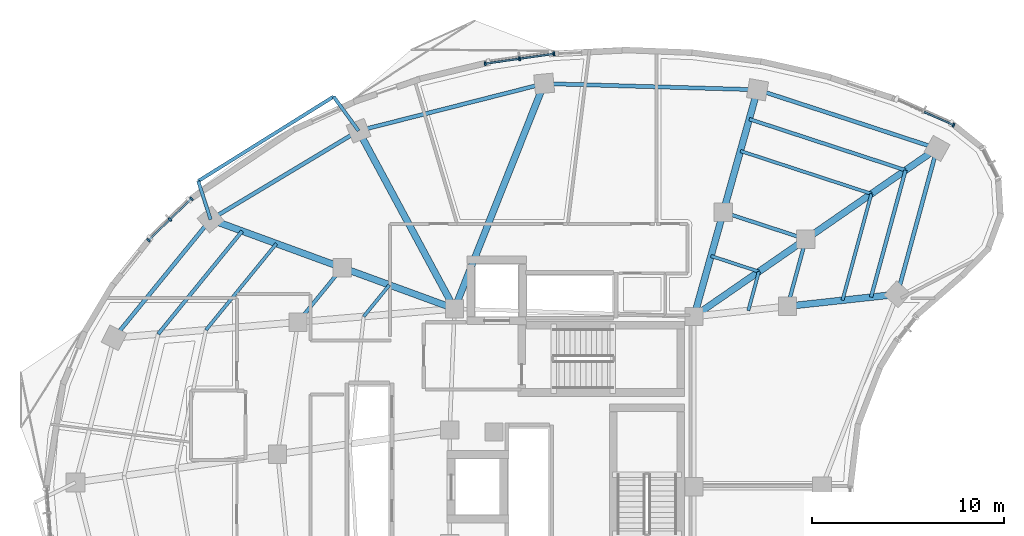
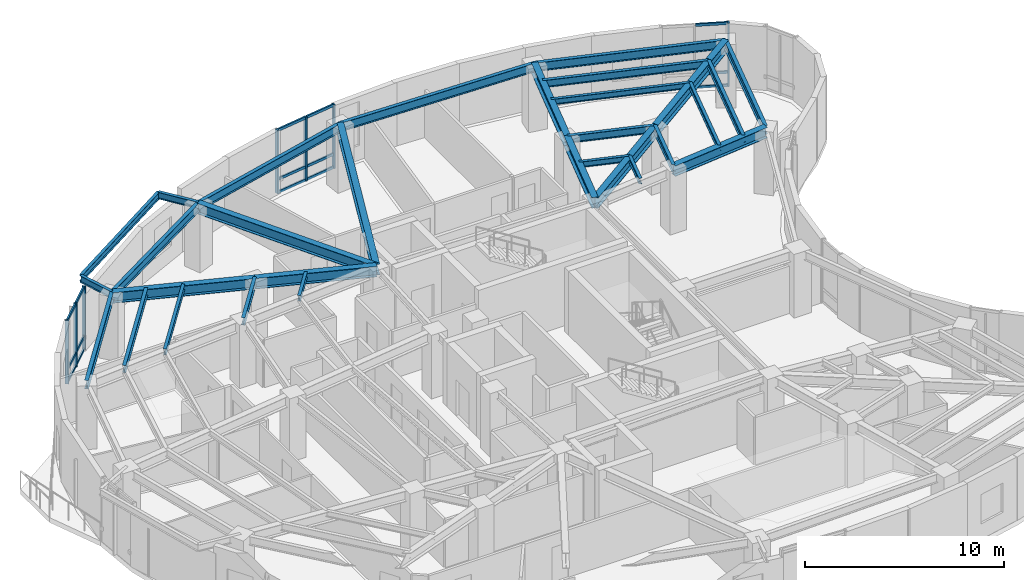
# One storey, part 5 of 15: 30 beams, 22 members, 3 elements without a shape of their own.
"""IFC4 building model written with IfcOpenShell, lengths in metres."""

from ifc_helpers import new_model, si_unit, direction, frame, origin, origin_2d, place, context, subcontext, project, spatial, rectangle, i_section, extrude, material, layer, layer_set, material_profile, profile_set, type_object, element, aggregate, save


model = new_model("IFC4")

# Units and contexts
model_context = context("Model", 3, precision=1e-05, world=origin(), true_north=direction((0.0, 1.0)))
body_context = subcontext(model_context, "Body", "Model", "MODEL_VIEW")
ifc_project = project(units=[si_unit("LENGTHUNIT", "METRE"), si_unit("AREAUNIT", "SQUARE_METRE"), si_unit("VOLUMEUNIT", "CUBIC_METRE"), si_unit("PLANEANGLEUNIT", "RADIAN"), si_unit("MASSUNIT", "GRAM", prefix="KILO")], contexts=[model_context])

# Site, building, storey
site_placement = place(None, origin())
site = spatial("IfcSite", under=ifc_project, at=site_placement, CompositionType="ELEMENT")
building_placement = place(site_placement, origin())
building = spatial("IfcBuilding", under=site, at=building_placement, Name="Korentha Bioscience Tower", CompositionType="ELEMENT")
storey_placement = place(building_placement, frame((0.0, 0.0, 222.60009765625)))
storey = spatial("IfcBuildingStorey", under=building, at=storey_placement, Name="L51", CompositionType="ELEMENT", Elevation=222.60009765625)

# Beams
ifc_material_1 = material(Name="Steel S355", Category="steel")
ifc_material_profile_1 = material_profile(ifc_material_1, i_section(OverallWidth=0.18994140625, OverallDepth=0.45703125, WebThickness=0.009033203125, FlangeThickness=0.014404296875, at=origin_2d()), Name="Steel S355")
ifc_profile_set_1 = profile_set([ifc_material_profile_1], Name="Steel S355 (MB-460)")
beam_type_1 = type_object("IfcBeamType", Name="Mid-Ring Tie Girder W460x74", PredefinedType="BEAM", material=ifc_profile_set_1)
beam_1_placement = place(storey_placement, frame((43.357666015625, 39.8662109375, 3.67138671875), z_axis=(-0.950447398506, 0.310885417274, 0.0), x_axis=(-0.310885417274, -0.950447398506, 0.0)))
element("IfcBeam", 1, at=beam_1_placement, inside=storey, type_object=beam_type_1, Name="L51 Mid-Ring Tie Girder 01", PredefinedType="BEAM", context=body_context, shape_type="SweptSolid", body=[
    extrude(i_section(OverallWidth=0.18994140625, OverallDepth=0.45703125, WebThickness=0.009033203125, FlangeThickness=0.014404296875, at=origin_2d()), origin(), (0.0, 0.0, 1.0), 4.5146484375),
])
beam_2_placement = place(storey_placement, frame((19.268310546875, 38.3837890625, 3.67138671875), z_axis=(-0.632275728894, -0.774743443116, 0.0), x_axis=(0.774743443116, -0.632275728894, 0.0)))
element("IfcBeam", 2, at=beam_2_placement, inside=storey, type_object=beam_type_1, Name="L51 Mid-Ring Tie Girder 05", PredefinedType="BEAM", context=body_context, shape_type="SweptSolid", body=[
    extrude(i_section(OverallWidth=0.18994140625, OverallDepth=0.45703125, WebThickness=0.009033203125, FlangeThickness=0.014404296875, at=origin_2d()), origin(), (0.0, 0.0, 1.0), 3.650146484375),
])
beam_3_placement = place(storey_placement, frame((42.41064453125, 36.379638671875, 3.67138671875), z_axis=(0.262122358011, 0.965034646752, 0.0), x_axis=(-0.965034646752, 0.262122358011, 0.0)))
element("IfcBeam", 3, at=beam_3_placement, inside=storey, type_object=beam_type_1, Name="L51 Mid-Ring Tie Girder 16", PredefinedType="BEAM", context=body_context, shape_type="SweptSolid", body=[
    extrude(i_section(OverallWidth=0.18994140625, OverallDepth=0.45703125, WebThickness=0.009033203125, FlangeThickness=0.014404296875, at=origin_2d()), origin(), (0.0, 0.0, 1.0), 3.61279296875),
])

# Curtain wall, member
ifc_material_2 = material(Name="Thermally Broken Aluminium Frame", Category="aluminium")
ifc_layer = layer(ifc_material_2, 0.219970703125, Name="Thermally Broken Aluminium Frame")
ifc_layer_set = layer_set([ifc_layer], Name="Thermally Broken Aluminium Frame (CW-T2)")
curtain_wall_type = type_object("IfcCurtainWallType", Name="Solar-Screened Lab Unitised Curtain Wall CW-T2", PredefinedType="USERDEFINED", material=ifc_layer_set)
curtain_wall_1_placement = place(storey_placement, origin())
curtain_wall_1 = element("IfcCurtainWall", 4, at=curtain_wall_1_placement, inside=storey, type_object=curtain_wall_type, Name="L51 Curtain Wall 01", ObjectType="UNITISED", PredefinedType="USERDEFINED")
ifc_material_3 = material(Name="Anodised Aluminium 6063-T6", Category="aluminium")
ifc_material_profile_2 = material_profile(ifc_material_3, rectangle(XDim=0.090087890625, YDim=0.199951171875, at=origin_2d()), Name="Anodised Aluminium 6063-T6")
ifc_profile_set_2 = profile_set([ifc_material_profile_2], Name="Anodised Aluminium 6063-T6 (CW-MUL)")
member_type_1 = type_object("IfcMemberType", Name="Mullion RECT 90x200", PredefinedType="MULLION", material=ifc_profile_set_2)
member_1_placement = place(storey_placement, frame((51.038818359375, 45.795166015625, 0.0), z_axis=(0.0, 0.0, 1.0), x_axis=(-0.913943941578, 0.405840450983, 0.0)))
member_1 = element("IfcMember", 5, at=member_1_placement, type_object=member_type_1, Name="CW-L51-01 Mullion 1", PredefinedType="MULLION", context=body_context, shape_type="SweptSolid", body=[
    extrude(rectangle(XDim=0.090087890625, YDim=0.199951171875, at=origin_2d()), origin(), (0.0, 0.0, 1.0), 3.89990234375),
])

# Curtain wall, members
curtain_wall_2_placement = place(storey_placement, origin())
curtain_wall_2 = element("IfcCurtainWall", 6, at=curtain_wall_2_placement, inside=storey, type_object=curtain_wall_type, Name="L51 Curtain Wall 07", ObjectType="UNITISED", PredefinedType="USERDEFINED")
member_2_placement = place(storey_placement, frame((30.267578125, 49.498779296875, 0.0), z_axis=(0.0, 0.0, 1.0), x_axis=(-0.989901889134, -0.141754188259, 0.0)))
member_2 = element("IfcMember", 7, at=member_2_placement, type_object=member_type_1, Name="CW-L51-07 Mullion 1", PredefinedType="MULLION", context=body_context, shape_type="SweptSolid", body=[
    extrude(rectangle(XDim=0.090087890625, YDim=0.199951171875, at=origin_2d()), origin(), (0.0, 0.0, 1.0), 3.89990234375),
])
member_3_placement = place(storey_placement, frame((28.47998046875, 49.242919921875, 0.0), z_axis=(0.0, 0.0, 1.0), x_axis=(-0.989901889134, -0.141754188259, 0.0)))
member_3 = element("IfcMember", 8, at=member_3_placement, type_object=member_type_1, Name="CW-L51-07 Mullion 2", PredefinedType="MULLION", context=body_context, shape_type="SweptSolid", body=[
    extrude(rectangle(XDim=0.090087890625, YDim=0.199951171875, at=origin_2d()), origin(), (0.0, 0.0, 1.0), 3.89990234375),
])
member_4_placement = place(storey_placement, frame((26.6923828125, 48.98681640625, 0.0), z_axis=(0.0, 0.0, 1.0), x_axis=(-0.989901889134, -0.141754188259, 0.0)))
member_4 = element("IfcMember", 9, at=member_4_placement, type_object=member_type_1, Name="CW-L51-07 Mullion 3", PredefinedType="MULLION", context=body_context, shape_type="SweptSolid", body=[
    extrude(rectangle(XDim=0.090087890625, YDim=0.199951171875, at=origin_2d()), origin(), (0.0, 0.0, 1.0), 3.89990234375),
])

curtain_wall_3_placement = place(storey_placement, origin())
curtain_wall_3 = element("IfcCurtainWall", 10, at=curtain_wall_3_placement, inside=storey, type_object=curtain_wall_type, Name="L51 Curtain Wall 13", ObjectType="UNITISED", PredefinedType="USERDEFINED")
member_5_placement = place(storey_placement, frame((11.43017578125, 41.968994140625, 0.0), z_axis=(0.0, 0.0, 1.0), x_axis=(-0.719000359175, -0.695009700297, 0.0)))
member_5 = element("IfcMember", 11, at=member_5_placement, type_object=member_type_1, Name="CW-L51-13 Mullion 1", PredefinedType="MULLION", context=body_context, shape_type="SweptSolid", body=[
    extrude(rectangle(XDim=0.090087890625, YDim=0.199951171875, at=origin_2d()), origin(), (0.0, 0.0, 1.0), 3.89990234375),
])
member_6_placement = place(storey_placement, frame((10.313232421875, 40.889404296875, 0.0), z_axis=(0.0, 0.0, 1.0), x_axis=(-0.719000359175, -0.695009700297, 0.0)))
member_6 = element("IfcMember", 12, at=member_6_placement, type_object=member_type_1, Name="CW-L51-13 Mullion 2", PredefinedType="MULLION", context=body_context, shape_type="SweptSolid", body=[
    extrude(rectangle(XDim=0.090087890625, YDim=0.199951171875, at=origin_2d()), origin(), (0.0, 0.0, 1.0), 3.89990234375),
])
member_7_placement = place(storey_placement, frame((9.1962890625, 39.809814453125, 0.0), z_axis=(0.0, 0.0, 1.0), x_axis=(-0.719000359175, -0.695009700297, 0.0)))
member_7 = element("IfcMember", 13, at=member_7_placement, type_object=member_type_1, Name="CW-L51-13 Mullion 3", PredefinedType="MULLION", context=body_context, shape_type="SweptSolid", body=[
    extrude(rectangle(XDim=0.090087890625, YDim=0.199951171875, at=origin_2d()), origin(), (0.0, 0.0, 1.0), 3.89990234375),
])

# Beams
ifc_material_profile_3 = material_profile(ifc_material_1, i_section(OverallWidth=0.208984375, OverallDepth=0.532958984375, WebThickness=0.01025390625, FlangeThickness=0.015625, at=origin_2d()), Name="Steel S355")
ifc_profile_set_3 = profile_set([ifc_material_profile_3], Name="Steel S355 (SB-530)")
beam_type_2 = type_object("IfcBeamType", Name="Perimeter Ring Spandrel Girder W530x92", PredefinedType="SPANDREL", material=ifc_profile_set_3)
beam_4_placement = place(storey_placement, frame((50.175537109375, 44.580810546875, 3.63330078125), z_axis=(-0.950449256032, 0.310879738338, 0.0), x_axis=(-0.310879738338, -0.950449256032, 0.0)))
element("IfcBeam", 14, at=beam_4_placement, inside=storey, type_object=beam_type_2, Name="L51 Perimeter Spandrel Girder 01", PredefinedType="SPANDREL", context=body_context, shape_type="SweptSolid", body=[
    extrude(i_section(OverallWidth=0.208984375, OverallDepth=0.532958984375, WebThickness=0.01025390625, FlangeThickness=0.015625, at=origin_2d()), origin(), (0.0, 0.0, 1.0), 9.81494140625),
])
beam_5_placement = place(storey_placement, frame((40.846923828125, 47.632080078125, 3.63330078125), z_axis=(-0.999586140554, 0.028767127286, 0.0), x_axis=(-0.028767127286, -0.999586140554, 0.0)))
element("IfcBeam", 15, at=beam_5_placement, inside=storey, type_object=beam_type_2, Name="L51 Perimeter Spandrel Girder 02", PredefinedType="SPANDREL", context=body_context, shape_type="SweptSolid", body=[
    extrude(i_section(OverallWidth=0.208984375, OverallDepth=0.532958984375, WebThickness=0.01025390625, FlangeThickness=0.015625, at=origin_2d()), origin(), (0.0, 0.0, 1.0), 11.09228515625),
])
beam_6_placement = place(storey_placement, frame((29.75927734375, 47.951171875, 3.63330078125), z_axis=(-0.969197317616, -0.246285524395, 0.0), x_axis=(0.246285524395, -0.969197317616, 0.0)))
element("IfcBeam", 16, at=beam_6_placement, inside=storey, type_object=beam_type_2, Name="L51 Perimeter Spandrel Girder 03", PredefinedType="SPANDREL", context=body_context, shape_type="SweptSolid", body=[
    extrude(i_section(OverallWidth=0.208984375, OverallDepth=0.532958984375, WebThickness=0.01025390625, FlangeThickness=0.015625, at=origin_2d()), origin(), (0.0, 0.0, 1.0), 9.95263671875),
])
beam_7_placement = place(storey_placement, frame((20.11328125, 45.5, 3.63330078125), z_axis=(-0.857644232791, -0.514243492872, 0.0), x_axis=(0.514243492872, -0.857644232791, 0.0)))
element("IfcBeam", 17, at=beam_7_placement, inside=storey, type_object=beam_type_2, Name="L51 Perimeter Spandrel Girder 04", PredefinedType="SPANDREL", context=body_context, shape_type="SweptSolid", body=[
    extrude(i_section(OverallWidth=0.208984375, OverallDepth=0.532958984375, WebThickness=0.01025390625, FlangeThickness=0.015625, at=origin_2d()), origin(), (0.0, 0.0, 1.0), 8.96728515625),
])
beam_8_placement = place(storey_placement, frame((12.422607421875, 40.888671875, 3.63330078125), z_axis=(-0.632315820697, -0.774710722074, 0.0), x_axis=(0.774710722074, -0.632315820697, 0.0)))
element("IfcBeam", 18, at=beam_8_placement, inside=storey, type_object=beam_type_2, Name="L51 Perimeter Spandrel Girder 05", PredefinedType="SPANDREL", context=body_context, shape_type="SweptSolid", body=[
    extrude(i_section(OverallWidth=0.208984375, OverallDepth=0.532958984375, WebThickness=0.01025390625, FlangeThickness=0.015625, at=origin_2d()), origin(), (0.0, 0.0, 1.0), 7.934814453125),
])
beam_9_placement = place(storey_placement, frame((48.116455078125, 37.001220703125, 3.63330078125), z_axis=(0.26215989838, 0.965024449266, 0.0), x_axis=(-0.965024449266, 0.26215989838, 0.0)))
element("IfcBeam", 19, at=beam_9_placement, inside=storey, type_object=beam_type_2, Name="L51 Perimeter Spandrel Girder 16", PredefinedType="SPANDREL", context=body_context, shape_type="SweptSolid", body=[
    extrude(i_section(OverallWidth=0.208984375, OverallDepth=0.532958984375, WebThickness=0.01025390625, FlangeThickness=0.015625, at=origin_2d()), origin(), (0.0, 0.0, 1.0), 7.854248046875),
])
ifc_material_profile_4 = material_profile(ifc_material_1, i_section(OverallWidth=0.18994140625, OverallDepth=0.45703125, WebThickness=0.009033203125, FlangeThickness=0.014404296875, at=origin_2d()), Name="Steel S355")
ifc_profile_set_4 = profile_set([ifc_material_profile_4], Name="Steel S355 (RB-460)")
beam_type_3 = type_object("IfcBeamType", Name="Radial Laboratory Beam W460x74", PredefinedType="BEAM", material=ifc_profile_set_4)
beam_10_placement = place(storey_placement, frame((48.539306640625, 43.44921875, 3.67138671875), z_axis=(-0.950451488918, 0.310872911674, 0.0), x_axis=(-0.310872911674, -0.950451488918, 0.0)))
element("IfcBeam", 20, at=beam_10_placement, inside=storey, type_object=beam_type_3, Name="L51 Secondary Floor Beam JSTO-01", PredefinedType="BEAM", context=body_context, shape_type="SweptSolid", body=[
    extrude(i_section(OverallWidth=0.18994140625, OverallDepth=0.45703125, WebThickness=0.009033203125, FlangeThickness=0.014404296875, at=origin_2d()), origin(), (0.0, 0.0, 1.0), 8.54296875),
])
beam_11_placement = place(storey_placement, frame((14.065673828125, 40.28759765625, 3.67138671875), z_axis=(-0.632321075077, -0.77470643344, 0.0), x_axis=(0.77470643344, -0.632321075077, 0.0)))
element("IfcBeam", 21, at=beam_11_placement, inside=storey, type_object=beam_type_3, Name="L51 Secondary Floor Beam JSTO-05", PredefinedType="BEAM", context=body_context, shape_type="SweptSolid", body=[
    extrude(i_section(OverallWidth=0.18994140625, OverallDepth=0.45703125, WebThickness=0.009033203125, FlangeThickness=0.014404296875, at=origin_2d()), origin(), (0.0, 0.0, 1.0), 6.906494140625),
])
beam_12_placement = place(storey_placement, frame((46.7470703125, 36.85205078125, 3.67138671875), z_axis=(0.262165402462, 0.965022954003, 0.0), x_axis=(-0.965022954003, 0.262165402462, 0.0)))
element("IfcBeam", 22, at=beam_12_placement, inside=storey, type_object=beam_type_3, Name="L51 Secondary Floor Beam JSTO-16", PredefinedType="BEAM", context=body_context, shape_type="SweptSolid", body=[
    extrude(i_section(OverallWidth=0.18994140625, OverallDepth=0.45703125, WebThickness=0.009033203125, FlangeThickness=0.014404296875, at=origin_2d()), origin(), (0.0, 0.0, 1.0), 6.836181640625),
])
ifc_material_profile_5 = material_profile(ifc_material_1, i_section(OverallWidth=0.35009765625, OverallDepth=0.64990234375, WebThickness=0.01611328125, FlangeThickness=0.02490234375, at=origin_2d()), Name="Steel S355")
ifc_profile_set_5 = profile_set([ifc_material_profile_5], Name="Steel S355 (RB-650)")
beam_type_4 = type_object("IfcBeamType", Name="Radial Laboratory Girder CVS 650x208", PredefinedType="BEAM", material=ifc_profile_set_5)
beam_13_placement = place(storey_placement, frame((37.550048828125, 35.85009765625, 3.574951171875), z_axis=(0.822493302413, 0.568774795052, 0.0), x_axis=(-0.568774795052, 0.822493302413, 0.0)))
element("IfcBeam", 23, at=beam_13_placement, inside=storey, type_object=beam_type_4, Name="L51 Inner Radial Girder 01", PredefinedType="BEAM", context=body_context, shape_type="SweptSolid", body=[
    extrude(i_section(OverallWidth=0.35009765625, OverallDepth=0.64990234375, WebThickness=0.01611328125, FlangeThickness=0.02490234375, at=origin_2d()), origin(), (0.0, 0.0, 1.0), 7.06103515625),
])
beam_14_placement = place(storey_placement, frame((43.357666015625, 39.8662109375, 3.574951171875), z_axis=(0.82250061903, 0.568764214499, 0.0), x_axis=(-0.568764214499, 0.82250061903, 0.0)))
element("IfcBeam", 24, at=beam_14_placement, inside=storey, type_object=beam_type_4, Name="L51 Outer Radial Girder 01", PredefinedType="BEAM", context=body_context, shape_type="SweptSolid", body=[
    extrude(i_section(OverallWidth=0.35009765625, OverallDepth=0.64990234375, WebThickness=0.01611328125, FlangeThickness=0.02490234375, at=origin_2d()), origin(), (0.0, 0.0, 1.0), 8.289306640625),
])
beam_15_placement = place(storey_placement, frame((37.550048828125, 35.85009765625, 3.574951171875), z_axis=(0.269480278508, 0.963005908339, 0.0), x_axis=(-0.963005908339, 0.269480278508, 0.0)))
element("IfcBeam", 25, at=beam_15_placement, inside=storey, type_object=beam_type_4, Name="L51 Inner Radial Girder 02", PredefinedType="BEAM", context=body_context, shape_type="SweptSolid", body=[
    extrude(i_section(OverallWidth=0.35009765625, OverallDepth=0.64990234375, WebThickness=0.01611328125, FlangeThickness=0.02490234375, at=origin_2d()), origin(), (0.0, 0.0, 1.0), 5.6279296875),
])
beam_16_placement = place(storey_placement, frame((39.066650390625, 41.269775390625, 3.574951171875), z_axis=(0.269465439817, 0.963010060562, 0.0), x_axis=(-0.963010060562, 0.269465439817, 0.0)))
element("IfcBeam", 26, at=beam_16_placement, inside=storey, type_object=beam_type_4, Name="L51 Outer Radial Girder 02", PredefinedType="BEAM", context=body_context, shape_type="SweptSolid", body=[
    extrude(i_section(OverallWidth=0.35009765625, OverallDepth=0.64990234375, WebThickness=0.01611328125, FlangeThickness=0.02490234375, at=origin_2d()), origin(), (0.0, 0.0, 1.0), 6.606689453125),
])
beam_17_placement = place(storey_placement, frame((25.10009765625, 36.25, 3.574951171875), z_axis=(0.369933042289, 0.929058418089, 0.0), x_axis=(-0.929058418089, 0.369933042289, 0.0)))
element("IfcBeam", 27, at=beam_17_placement, inside=storey, type_object=beam_type_4, Name="L51 Radial Girder 03", PredefinedType="BEAM", context=body_context, shape_type="SweptSolid", body=[
    extrude(i_section(OverallWidth=0.35009765625, OverallDepth=0.64990234375, WebThickness=0.01611328125, FlangeThickness=0.02490234375, at=origin_2d()), origin(), (0.0, 0.0, 1.0), 12.5947265625),
])
beam_18_placement = place(storey_placement, frame((25.10009765625, 36.25, 3.574951171875), z_axis=(-0.474545867703, 0.880230776243, 0.0), x_axis=(-0.880230776243, -0.474545867703, 0.0)))
element("IfcBeam", 28, at=beam_18_placement, inside=storey, type_object=beam_type_4, Name="L51 Radial Girder 04", PredefinedType="BEAM", context=body_context, shape_type="SweptSolid", body=[
    extrude(i_section(OverallWidth=0.35009765625, OverallDepth=0.64990234375, WebThickness=0.01611328125, FlangeThickness=0.02490234375, at=origin_2d()), origin(), (0.0, 0.0, 1.0), 10.508544921875),
])
beam_19_placement = place(storey_placement, frame((25.10009765625, 36.25, 3.574951171875), z_axis=(-0.939112022558, 0.343611130622, 0.0), x_axis=(-0.343611130622, -0.939112022558, 0.0)))
element("IfcBeam", 29, at=beam_19_placement, inside=storey, type_object=beam_type_4, Name="L51 Inner Radial Girder 05", PredefinedType="BEAM", context=body_context, shape_type="SweptSolid", body=[
    extrude(i_section(OverallWidth=0.35009765625, OverallDepth=0.64990234375, WebThickness=0.01611328125, FlangeThickness=0.02490234375, at=origin_2d()), origin(), (0.0, 0.0, 1.0), 6.2099609375),
])
beam_20_placement = place(storey_placement, frame((19.268310546875, 38.3837890625, 3.574951171875), z_axis=(-0.939107036581, 0.343624757322, 0.0), x_axis=(-0.343624757322, -0.939107036581, 0.0)))
element("IfcBeam", 30, at=beam_20_placement, inside=storey, type_object=beam_type_4, Name="L51 Outer Radial Girder 05", PredefinedType="BEAM", context=body_context, shape_type="SweptSolid", body=[
    extrude(i_section(OverallWidth=0.35009765625, OverallDepth=0.64990234375, WebThickness=0.01611328125, FlangeThickness=0.02490234375, at=origin_2d()), origin(), (0.0, 0.0, 1.0), 7.28955078125),
])
beam_21_placement = place(storey_placement, frame((42.41064453125, 36.379638671875, 3.574951171875), z_axis=(0.994118507308, 0.108297707398, 0.0), x_axis=(-0.108297707398, 0.994118507308, 0.0)))
element("IfcBeam", 31, at=beam_21_placement, inside=storey, type_object=beam_type_4, Name="L51 Outer Radial Girder 16", PredefinedType="BEAM", context=body_context, shape_type="SweptSolid", body=[
    extrude(i_section(OverallWidth=0.35009765625, OverallDepth=0.64990234375, WebThickness=0.01611328125, FlangeThickness=0.02490234375, at=origin_2d()), origin(), (0.0, 0.0, 1.0), 5.739501953125),
])
ifc_material_profile_6 = material_profile(ifc_material_1, i_section(OverallWidth=0.1708984375, OverallDepth=0.35498046875, WebThickness=0.007080078125, FlangeThickness=0.01171875, at=origin_2d()), Name="Steel S355")
ifc_profile_set_6 = profile_set([ifc_material_profile_6], Name="Steel S355 (JB-360)")
beam_type_5 = type_object("IfcBeamType", Name="Secondary Laboratory Joist W360x51", PredefinedType="JOIST", material=ifc_profile_set_6)
beam_22_placement = place(storey_placement, frame((46.7666015625, 42.223388671875, 3.722412109375), z_axis=(-0.950443636542, 0.310896918216, 0.0), x_axis=(-0.310896918216, -0.950443636542, 0.0)))
element("IfcBeam", 32, at=beam_22_placement, inside=storey, type_object=beam_type_5, Name="L51 Secondary Floor Beam JST-01", PredefinedType="JOIST", context=body_context, shape_type="SweptSolid", body=[
    extrude(i_section(OverallWidth=0.1708984375, OverallDepth=0.35498046875, WebThickness=0.007080078125, FlangeThickness=0.01171875, at=origin_2d()), origin(), (0.0, 0.0, 1.0), 7.164794921875),
])
beam_23_placement = place(storey_placement, frame((40.91845703125, 38.179443359375, 3.722412109375), z_axis=(-0.950458247894, 0.31085224627, 0.0), x_axis=(-0.31085224627, -0.950458247894, 0.0)))
element("IfcBeam", 33, at=beam_23_placement, inside=storey, type_object=beam_type_5, Name="L51 Inner Bay Joist 01", PredefinedType="JOIST", context=body_context, shape_type="SweptSolid", body=[
    extrude(i_section(OverallWidth=0.1708984375, OverallDepth=0.35498046875, WebThickness=0.007080078125, FlangeThickness=0.01171875, at=origin_2d()), origin(), (0.0, 0.0, 1.0), 2.618408203125),
])
beam_24_placement = place(storey_placement, frame((15.845458984375, 39.63623046875, 3.722412109375), z_axis=(-0.632303189088, -0.774721031771, 0.0), x_axis=(0.774721031771, -0.632303189088, 0.0)))
element("IfcBeam", 34, at=beam_24_placement, inside=storey, type_object=beam_type_5, Name="L51 Secondary Floor Beam JST-05", PredefinedType="JOIST", context=body_context, shape_type="SweptSolid", body=[
    extrude(i_section(OverallWidth=0.1708984375, OverallDepth=0.35498046875, WebThickness=0.007080078125, FlangeThickness=0.01171875, at=origin_2d()), origin(), (0.0, 0.0, 1.0), 5.79248046875),
])
beam_25_placement = place(storey_placement, frame((21.7177734375, 37.487548828125, 3.722412109375), z_axis=(-0.632370841021, -0.774665811448, 0.0), x_axis=(0.774665811448, -0.632370841021, 0.0)))
element("IfcBeam", 35, at=beam_25_placement, inside=storey, type_object=beam_type_5, Name="L51 Inner Bay Joist 05", PredefinedType="JOIST", context=body_context, shape_type="SweptSolid", body=[
    extrude(i_section(OverallWidth=0.1708984375, OverallDepth=0.35498046875, WebThickness=0.007080078125, FlangeThickness=0.01171875, at=origin_2d()), origin(), (0.0, 0.0, 1.0), 2.1171875),
])
beam_26_placement = place(storey_placement, frame((45.263671875, 36.6904296875, 3.722412109375), z_axis=(0.262133629198, 0.965031585205, 0.0), x_axis=(-0.965031585205, 0.262133629198, 0.0)))
element("IfcBeam", 36, at=beam_26_placement, inside=storey, type_object=beam_type_5, Name="L51 Secondary Floor Beam JST-16", PredefinedType="JOIST", context=body_context, shape_type="SweptSolid", body=[
    extrude(i_section(OverallWidth=0.1708984375, OverallDepth=0.35498046875, WebThickness=0.007080078125, FlangeThickness=0.01171875, at=origin_2d()), origin(), (0.0, 0.0, 1.0), 5.7333984375),
])
beam_27_placement = place(storey_placement, frame((40.369140625, 36.1572265625, 3.722412109375), z_axis=(0.262141298938, 0.965029501824, 0.0), x_axis=(-0.965029501824, 0.262141298938, 0.0)))
element("IfcBeam", 37, at=beam_27_placement, inside=storey, type_object=beam_type_5, Name="L51 Inner Bay Joist 16", PredefinedType="JOIST", context=body_context, shape_type="SweptSolid", body=[
    extrude(i_section(OverallWidth=0.1708984375, OverallDepth=0.35498046875, WebThickness=0.007080078125, FlangeThickness=0.01171875, at=origin_2d()), origin(), (0.0, 0.0, 1.0), 2.095458984375),
])
ifc_material_profile_7 = material_profile(ifc_material_1, i_section(OverallWidth=0.177978515625, OverallDepth=0.406982421875, WebThickness=0.0078125, FlangeThickness=0.0126953125, at=origin_2d()), Name="Steel S355")
ifc_profile_set_7 = profile_set([ifc_material_profile_7], Name="Steel S355 (CB-410)")
beam_type_6 = type_object("IfcBeamType", Name="Sun-Ledge Cantilever Beam W410x60", PredefinedType="BEAM", material=ifc_profile_set_7)
beam_28_placement = place(storey_placement, frame((20.11328125, 45.5, 3.698486328125), z_axis=(-0.590308883933, 0.80717744118, 0.0), x_axis=(-0.80717744118, -0.590308883933, 0.0)))
element("IfcBeam", 38, at=beam_28_placement, inside=storey, type_object=beam_type_6, Name="L51 Balcony Cantilever Bracket A-L52-01", PredefinedType="BEAM", context=body_context, shape_type="SweptSolid", body=[
    extrude(i_section(OverallWidth=0.177978515625, OverallDepth=0.406982421875, WebThickness=0.0078125, FlangeThickness=0.0126953125, at=origin_2d()), origin(), (0.0, 0.0, 1.0), 2.198486328125),
])
beam_29_placement = place(storey_placement, frame((12.422607421875, 40.888671875, 3.698486328125), z_axis=(-0.30633304213, 0.951924402093, 0.0), x_axis=(-0.951924402093, -0.30633304213, 0.0)))
element("IfcBeam", 39, at=beam_29_placement, inside=storey, type_object=beam_type_6, Name="L51 Balcony Cantilever Bracket B-L52-01", PredefinedType="BEAM", context=body_context, shape_type="SweptSolid", body=[
    extrude(i_section(OverallWidth=0.177978515625, OverallDepth=0.406982421875, WebThickness=0.0078125, FlangeThickness=0.0126953125, at=origin_2d()), origin(), (0.0, 0.0, 1.0), 2.098388671875),
])
beam_30_placement = place(storey_placement, frame((18.8154296875, 47.274658203125, 3.698486328125), z_axis=(-0.848477639947, -0.529231229719, 0.0), x_axis=(0.529231229719, -0.848477639947, 0.0)))
element("IfcBeam", 40, at=beam_30_placement, inside=storey, type_object=beam_type_6, Name="L51 Balcony Edge Trimmer Beam L52-01", PredefinedType="BEAM", context=body_context, shape_type="SweptSolid", body=[
    extrude(i_section(OverallWidth=0.177978515625, OverallDepth=0.406982421875, WebThickness=0.0078125, FlangeThickness=0.0126953125, at=origin_2d()), origin(), (0.0, 0.0, 1.0), 8.2919921875),
])

# Member
ifc_material_profile_8 = material_profile(ifc_material_3, rectangle(XDim=0.090087890625, YDim=0.159912109375, at=origin_2d()), Name="Anodised Aluminium 6063-T6")
ifc_profile_set_8 = profile_set([ifc_material_profile_8], Name="Anodised Aluminium 6063-T6 (CW-TRN)")
member_type_2 = type_object("IfcMemberType", Name="Transom RECT 90x160", PredefinedType="USERDEFINED", material=ifc_profile_set_8)
member_8_placement = place(storey_placement, frame((50.99755859375, 45.813232421875, 0.044921875), z_axis=(-0.913935479932, 0.405859505891, 0.0), x_axis=(-0.405859505891, -0.913935479932, 0.0)))
member_8 = element("IfcMember", 41, at=member_8_placement, type_object=member_type_2, Name="CW-L51-01 Bay 1 Transom 1", ObjectType="TRANSOM", PredefinedType="USERDEFINED", context=body_context, shape_type="SweptSolid", body=[
    extrude(rectangle(XDim=0.090087890625, YDim=0.159912109375, at=origin_2d()), origin(), (0.0, 0.0, 1.0), 1.624267578125),
])

member_9_placement = place(storey_placement, frame((50.99755859375, 45.813232421875, 0.849853515625), z_axis=(-0.913935479932, 0.405859505891, 0.0), x_axis=(-0.405859505891, -0.913935479932, 0.0)))
member_9 = element("IfcMember", 42, at=member_9_placement, type_object=member_type_2, Name="CW-L51-01 Bay 1 Transom 2", ObjectType="TRANSOM", PredefinedType="USERDEFINED", context=body_context, shape_type="SweptSolid", body=[
    extrude(rectangle(XDim=0.090087890625, YDim=0.159912109375, at=origin_2d()), origin(), (0.0, 0.0, 1.0), 1.624267578125),
])

member_10_placement = place(storey_placement, frame((50.99755859375, 45.813232421875, 3.85498046875), z_axis=(-0.913935479932, 0.405859505891, 0.0), x_axis=(-0.405859505891, -0.913935479932, 0.0)))
member_10 = element("IfcMember", 43, at=member_10_placement, type_object=member_type_2, Name="CW-L51-01 Bay 1 Transom 3", ObjectType="TRANSOM", PredefinedType="USERDEFINED", context=body_context, shape_type="SweptSolid", body=[
    extrude(rectangle(XDim=0.090087890625, YDim=0.159912109375, at=origin_2d()), origin(), (0.0, 0.0, 1.0), 1.624267578125),
])

aggregate(curtain_wall_1, [member_1, member_8, member_9, member_10])

member_11_placement = place(storey_placement, frame((30.222900390625, 49.492431640625, 0.044921875), z_axis=(-0.989906761771, -0.141720157356, 0.0), x_axis=(0.141720157356, -0.989906761771, 0.0)))
member_11 = element("IfcMember", 44, at=member_11_placement, type_object=member_type_2, Name="CW-L51-07 Bay 1 Transom 1", ObjectType="TRANSOM", PredefinedType="USERDEFINED", context=body_context, shape_type="SweptSolid", body=[
    extrude(rectangle(XDim=0.090087890625, YDim=0.159912109375, at=origin_2d()), origin(), (0.0, 0.0, 1.0), 1.7158203125),
])

member_12_placement = place(storey_placement, frame((30.222900390625, 49.492431640625, 0.849853515625), z_axis=(-0.989906761771, -0.141720157356, 0.0), x_axis=(0.141720157356, -0.989906761771, 0.0)))
member_12 = element("IfcMember", 45, at=member_12_placement, type_object=member_type_2, Name="CW-L51-07 Bay 1 Transom 2", ObjectType="TRANSOM", PredefinedType="USERDEFINED", context=body_context, shape_type="SweptSolid", body=[
    extrude(rectangle(XDim=0.090087890625, YDim=0.159912109375, at=origin_2d()), origin(), (0.0, 0.0, 1.0), 1.7158203125),
])

member_13_placement = place(storey_placement, frame((30.222900390625, 49.492431640625, 3.85498046875), z_axis=(-0.989906761771, -0.141720157356, 0.0), x_axis=(0.141720157356, -0.989906761771, 0.0)))
member_13 = element("IfcMember", 46, at=member_13_placement, type_object=member_type_2, Name="CW-L51-07 Bay 1 Transom 3", ObjectType="TRANSOM", PredefinedType="USERDEFINED", context=body_context, shape_type="SweptSolid", body=[
    extrude(rectangle(XDim=0.090087890625, YDim=0.159912109375, at=origin_2d()), origin(), (0.0, 0.0, 1.0), 1.7158203125),
])

member_14_placement = place(storey_placement, frame((28.435302734375, 49.236572265625, 0.044921875), z_axis=(-0.989903903342, -0.14174012187, 0.0), x_axis=(0.14174012187, -0.989903903342, 0.0)))
member_14 = element("IfcMember", 47, at=member_14_placement, type_object=member_type_2, Name="CW-L51-07 Bay 2 Transom 1", ObjectType="TRANSOM", PredefinedType="USERDEFINED", context=body_context, shape_type="SweptSolid", body=[
    extrude(rectangle(XDim=0.090087890625, YDim=0.159912109375, at=origin_2d()), origin(), (0.0, 0.0, 1.0), 1.715576171875),
])

member_15_placement = place(storey_placement, frame((28.435302734375, 49.236572265625, 0.849853515625), z_axis=(-0.989903903342, -0.14174012187, 0.0), x_axis=(0.14174012187, -0.989903903342, 0.0)))
member_15 = element("IfcMember", 48, at=member_15_placement, type_object=member_type_2, Name="CW-L51-07 Bay 2 Transom 2", ObjectType="TRANSOM", PredefinedType="USERDEFINED", context=body_context, shape_type="SweptSolid", body=[
    extrude(rectangle(XDim=0.090087890625, YDim=0.159912109375, at=origin_2d()), origin(), (0.0, 0.0, 1.0), 1.715576171875),
])

member_16_placement = place(storey_placement, frame((28.435302734375, 49.236572265625, 3.85498046875), z_axis=(-0.989903903342, -0.14174012187, 0.0), x_axis=(0.14174012187, -0.989903903342, 0.0)))
member_16 = element("IfcMember", 49, at=member_16_placement, type_object=member_type_2, Name="CW-L51-07 Bay 2 Transom 3", ObjectType="TRANSOM", PredefinedType="USERDEFINED", context=body_context, shape_type="SweptSolid", body=[
    extrude(rectangle(XDim=0.090087890625, YDim=0.159912109375, at=origin_2d()), origin(), (0.0, 0.0, 1.0), 1.715576171875),
])

aggregate(curtain_wall_2, [member_2, member_3, member_4, member_11, member_12, member_13, member_14, member_15, member_16])

member_17_placement = place(storey_placement, frame((11.397705078125, 41.937744140625, 0.044921875), z_axis=(-0.719016163687, -0.694993349865, 0.0), x_axis=(0.694993349865, -0.719016163687, 0.0)))
member_17 = element("IfcMember", 50, at=member_17_placement, type_object=member_type_2, Name="CW-L51-13 Bay 1 Transom 1", ObjectType="TRANSOM", PredefinedType="USERDEFINED", context=body_context, shape_type="SweptSolid", body=[
    extrude(rectangle(XDim=0.090087890625, YDim=0.159912109375, at=origin_2d()), origin(), (0.0, 0.0, 1.0), 1.46337890625),
])

member_18_placement = place(storey_placement, frame((11.397705078125, 41.937744140625, 0.849853515625), z_axis=(-0.719016163687, -0.694993349865, 0.0), x_axis=(0.694993349865, -0.719016163687, 0.0)))
member_18 = element("IfcMember", 51, at=member_18_placement, type_object=member_type_2, Name="CW-L51-13 Bay 1 Transom 2", ObjectType="TRANSOM", PredefinedType="USERDEFINED", context=body_context, shape_type="SweptSolid", body=[
    extrude(rectangle(XDim=0.090087890625, YDim=0.159912109375, at=origin_2d()), origin(), (0.0, 0.0, 1.0), 1.46337890625),
])

member_19_placement = place(storey_placement, frame((11.397705078125, 41.937744140625, 3.85498046875), z_axis=(-0.719016163687, -0.694993349865, 0.0), x_axis=(0.694993349865, -0.719016163687, 0.0)))
member_19 = element("IfcMember", 52, at=member_19_placement, type_object=member_type_2, Name="CW-L51-13 Bay 1 Transom 3", ObjectType="TRANSOM", PredefinedType="USERDEFINED", context=body_context, shape_type="SweptSolid", body=[
    extrude(rectangle(XDim=0.090087890625, YDim=0.159912109375, at=origin_2d()), origin(), (0.0, 0.0, 1.0), 1.46337890625),
])

member_20_placement = place(storey_placement, frame((10.28076171875, 40.858154296875, 0.044921875), z_axis=(-0.719016163687, -0.694993349865, 0.0), x_axis=(0.694993349865, -0.719016163687, 0.0)))
member_20 = element("IfcMember", 53, at=member_20_placement, type_object=member_type_2, Name="CW-L51-13 Bay 2 Transom 1", ObjectType="TRANSOM", PredefinedType="USERDEFINED", context=body_context, shape_type="SweptSolid", body=[
    extrude(rectangle(XDim=0.090087890625, YDim=0.159912109375, at=origin_2d()), origin(), (0.0, 0.0, 1.0), 1.46337890625),
])

member_21_placement = place(storey_placement, frame((10.28076171875, 40.858154296875, 0.849853515625), z_axis=(-0.719016163687, -0.694993349865, 0.0), x_axis=(0.694993349865, -0.719016163687, 0.0)))
member_21 = element("IfcMember", 54, at=member_21_placement, type_object=member_type_2, Name="CW-L51-13 Bay 2 Transom 2", ObjectType="TRANSOM", PredefinedType="USERDEFINED", context=body_context, shape_type="SweptSolid", body=[
    extrude(rectangle(XDim=0.090087890625, YDim=0.159912109375, at=origin_2d()), origin(), (0.0, 0.0, 1.0), 1.46337890625),
])

member_22_placement = place(storey_placement, frame((10.28076171875, 40.858154296875, 3.85498046875), z_axis=(-0.719016163687, -0.694993349865, 0.0), x_axis=(0.694993349865, -0.719016163687, 0.0)))
member_22 = element("IfcMember", 55, at=member_22_placement, type_object=member_type_2, Name="CW-L51-13 Bay 2 Transom 3", ObjectType="TRANSOM", PredefinedType="USERDEFINED", context=body_context, shape_type="SweptSolid", body=[
    extrude(rectangle(XDim=0.090087890625, YDim=0.159912109375, at=origin_2d()), origin(), (0.0, 0.0, 1.0), 1.46337890625),
])

aggregate(curtain_wall_3, [member_5, member_6, member_7, member_17, member_18, member_19, member_20, member_21, member_22])

save(model, "model.ifc")
